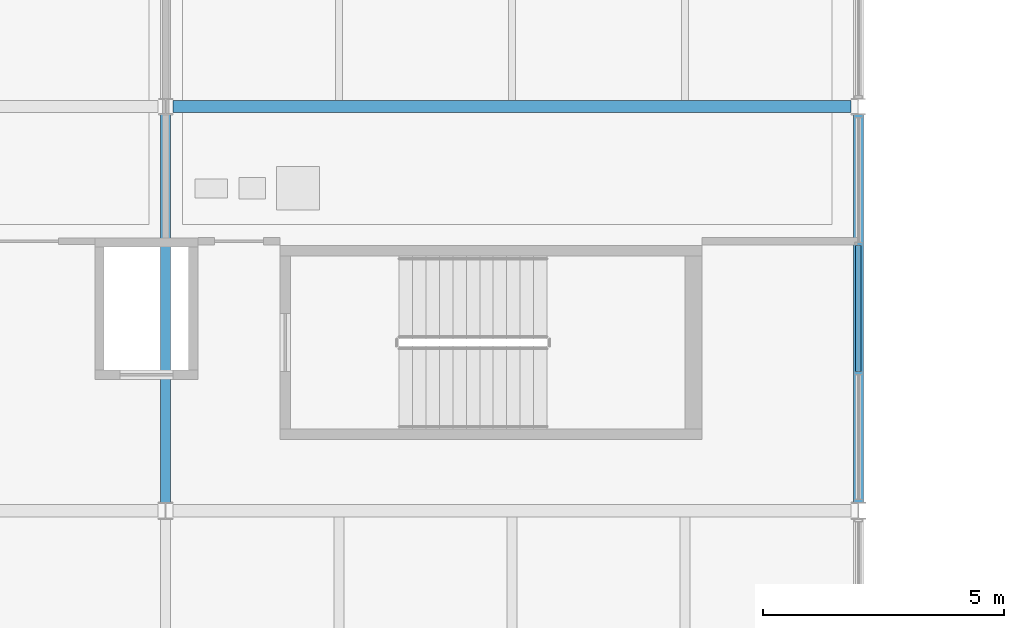
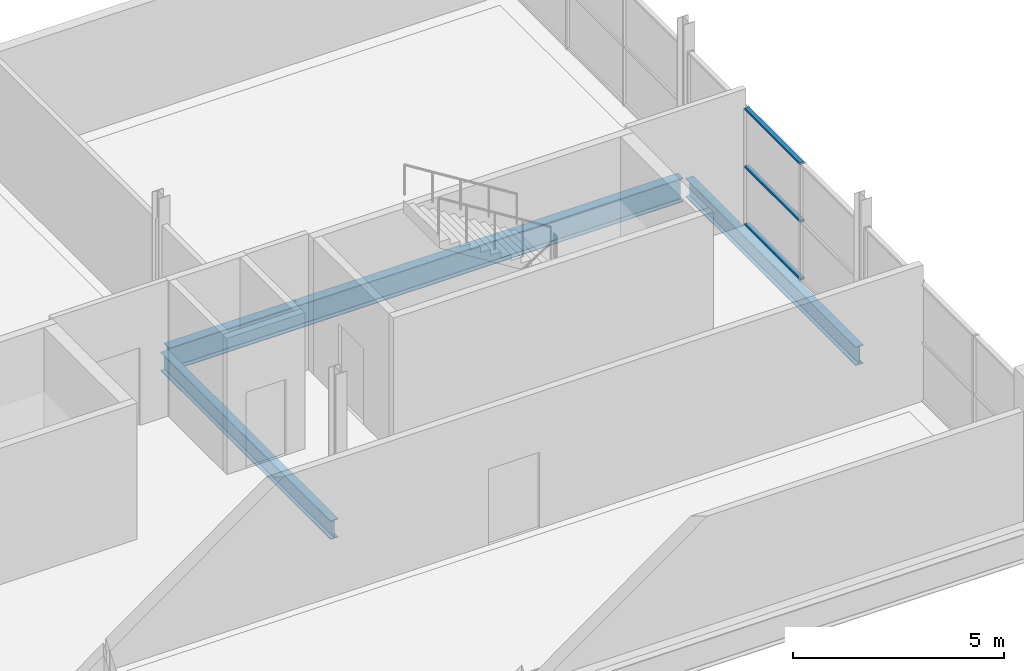
# One storey, part 59 of 93: 3 beams, 3 members, 1 element without a shape of its own.
"""IFC4 building model written with IfcOpenShell, lengths in metres."""

from ifc_helpers import new_model, si_unit, direction, frame, origin, origin_2d, place, context, subcontext, project, spatial, hollow_rectangle, i_section, extrude, material, material_profile, profile_set, type_object, element, aggregate, save


model = new_model("IFC4")

# Units and contexts
model_context = context("Model", 3, precision=1e-05, world=origin(), true_north=direction((0.0, 1.0)))
body_context = subcontext(model_context, "Body", "Model", "MODEL_VIEW")
ifc_project = project(units=[si_unit("LENGTHUNIT", "METRE"), si_unit("AREAUNIT", "SQUARE_METRE"), si_unit("VOLUMEUNIT", "CUBIC_METRE"), si_unit("PLANEANGLEUNIT", "RADIAN"), si_unit("MASSUNIT", "GRAM", prefix="KILO"), si_unit("THERMODYNAMICTEMPERATUREUNIT", "KELVIN")], contexts=[model_context])

# Site, building, storey
site_placement = place(None, origin())
site = spatial("IfcSite", under=ifc_project, at=site_placement, CompositionType="ELEMENT")
building_placement = place(site_placement, origin())
building = spatial("IfcBuilding", under=site, at=building_placement, Name="Nduvali Passage Aquatics Centre", CompositionType="ELEMENT")
storey_placement = place(building_placement, frame((0.0, 0.0, 9.0)))
storey = spatial("IfcBuildingStorey", under=building, at=storey_placement, Name="L02", CompositionType="ELEMENT", Elevation=9.0)

# Curtain wall, members
ifc_material_1 = material(Name="Aluminium EN AW-6063 T6", Category="aluminium")
curtain_wall_type = type_object("IfcCurtainWallType", Name="ENV-CW-PASS", PredefinedType="NOTDEFINED", material=ifc_material_1)
curtain_wall_placement = place(storey_placement, origin())
curtain_wall = element("IfcCurtainWall", 1, at=curtain_wall_placement, inside=storey, type_object=curtain_wall_type, Name="L02 East Passage Studio CW 122", PredefinedType="NOTDEFINED")
ifc_material_profile_1 = material_profile(ifc_material_1, hollow_rectangle(XDim=0.1201171875, YDim=0.06005859375, WallThickness=0.00390625, at=origin_2d()), Name="ALU TRANSOM 120x60x4")
ifc_profile_set_1 = profile_set([ifc_material_profile_1], Name="Aluminium EN AW-6063 T6")
member_type = type_object("IfcMemberType", Name="ENV-MEM-TRN60", PredefinedType="USERDEFINED", material=ifc_profile_set_1)
member_1_placement = place(storey_placement, frame((126.0, 103.68994140625, 0.030029296875), z_axis=(0.0, 1.0, 0.0), x_axis=(-1.0, 0.0, 0.0)))
member_1 = element("IfcMember", 2, at=member_1_placement, type_object=member_type, Name="East Passage Studio CW Transom B2-R0", ObjectType="TRANSOM", PredefinedType="USERDEFINED", context=body_context, shape_type="SweptSolid", body=[
    extrude(hollow_rectangle(XDim=0.1201171875, YDim=0.06005859375, WallThickness=0.00390625, at=origin_2d()), origin(), (0.0, 0.0, 1.0), 2.625),
])
member_2_placement = place(storey_placement, frame((126.0, 103.68994140625, 1.703125), z_axis=(0.0, 1.0, 0.0), x_axis=(-1.0, 0.0, 0.0)))
member_2 = element("IfcMember", 3, at=member_2_placement, type_object=member_type, Name="East Passage Studio CW Transom B2-R1", ObjectType="TRANSOM", PredefinedType="USERDEFINED", context=body_context, shape_type="SweptSolid", body=[
    extrude(hollow_rectangle(XDim=0.1201171875, YDim=0.06005859375, WallThickness=0.00390625, at=origin_2d()), origin(), (0.0, 0.0, 1.0), 2.625),
])
member_3_placement = place(storey_placement, frame((126.0, 103.68994140625, 3.37646484375), z_axis=(0.0, 1.0, 0.0), x_axis=(-1.0, 0.0, 0.0)))
member_3 = element("IfcMember", 4, at=member_3_placement, type_object=member_type, Name="East Passage Studio CW Transom B2-R2", ObjectType="TRANSOM", PredefinedType="USERDEFINED", context=body_context, shape_type="SweptSolid", body=[
    extrude(hollow_rectangle(XDim=0.1201171875, YDim=0.06005859375, WallThickness=0.00390625, at=origin_2d()), origin(), (0.0, 0.0, 1.0), 2.625),
])
aggregate(curtain_wall, [member_1, member_2, member_3])

# Beams
ifc_material_2 = material(Name="Steel S355", Category="steel")
ifc_material_profile_2 = material_profile(ifc_material_2, i_section(OverallWidth=0.210693359375, OverallDepth=0.53955078125, WebThickness=0.01171875, FlangeThickness=0.018798828125, FilletRadius=0.0126953125, at=origin_2d()), Name="UKB 533x210x109")
ifc_profile_set_2 = profile_set([ifc_material_profile_2], Name="Steel S355")
beam_type_1 = type_object("IfcBeamType", Name="STR-BM-UKB533", PredefinedType="BEAM", material=ifc_profile_set_2)
beam_1_placement = place(storey_placement, frame((111.60009765625, 100.960205078125, -0.53369140625), z_axis=(0.0, 1.0, 0.0), x_axis=(-1.0, 0.0, 0.0)))
element("IfcBeam", 5, at=beam_1_placement, inside=storey, type_object=beam_type_1, Name="L02 Primary Y-Girder B6-1005", PredefinedType="BEAM", context=body_context, shape_type="SweptSolid", body=[
    extrude(i_section(OverallWidth=0.210693359375, OverallDepth=0.53955078125, WebThickness=0.01171875, FlangeThickness=0.018798828125, FilletRadius=0.0126953125, at=origin_2d()), origin(), (0.0, 0.0, 1.0), 8.07958984375),
])
ifc_material_profile_3 = material_profile(ifc_material_2, i_section(OverallWidth=0.210693359375, OverallDepth=0.53955078125, WebThickness=0.01171875, FlangeThickness=0.018798828125, FilletRadius=0.0126953125, at=origin_2d()), Name="UKB 533x210x109")
ifc_profile_set_3 = profile_set([ifc_material_profile_3], Name="Steel S355")
beam_type_2 = type_object("IfcBeamType", Name="STR-BM-UKB533-EXT", PredefinedType="BEAM", material=ifc_profile_set_3)
beam_2_placement = place(storey_placement, frame((126.0, 100.960205078125, -0.53369140625), z_axis=(0.0, 1.0, 0.0), x_axis=(-1.0, 0.0, 0.0)))
element("IfcBeam", 6, at=beam_2_placement, inside=storey, type_object=beam_type_2, Name="L02 Primary Y-Girder B6E-1019", PredefinedType="BEAM", context=body_context, shape_type="SweptSolid", body=[
    extrude(i_section(OverallWidth=0.210693359375, OverallDepth=0.53955078125, WebThickness=0.01171875, FlangeThickness=0.018798828125, FilletRadius=0.0126953125, at=origin_2d()), origin(), (0.0, 0.0, 1.0), 8.07958984375),
])
ifc_material_profile_4 = material_profile(ifc_material_2, i_section(OverallWidth=0.253662109375, OverallDepth=0.68359375, WebThickness=0.012451171875, FlangeThickness=0.01904296875, FilletRadius=0.01513671875, at=origin_2d()), Name="UKB 686x254x140")
ifc_profile_set_4 = profile_set([ifc_material_profile_4], Name="Steel S355")
beam_type_3 = type_object("IfcBeamType", Name="STR-BM-UKB686", PredefinedType="BEAM", material=ifc_profile_set_4)
beam_3_placement = place(storey_placement, frame((111.754638671875, 109.199951171875, -0.605712890625), z_axis=(1.0, 0.0, 0.0), x_axis=(0.0, 1.0, 0.0)))
element("IfcBeam", 7, at=beam_3_placement, inside=storey, type_object=beam_type_3, Name="L02 Primary X-Girder B4-0943", PredefinedType="BEAM", context=body_context, shape_type="SweptSolid", body=[
    extrude(i_section(OverallWidth=0.253662109375, OverallDepth=0.68359375, WebThickness=0.012451171875, FlangeThickness=0.01904296875, FilletRadius=0.01513671875, at=origin_2d()), origin(), (0.0, 0.0, 1.0), 14.0908203125),
])

save(model, "model.ifc")
